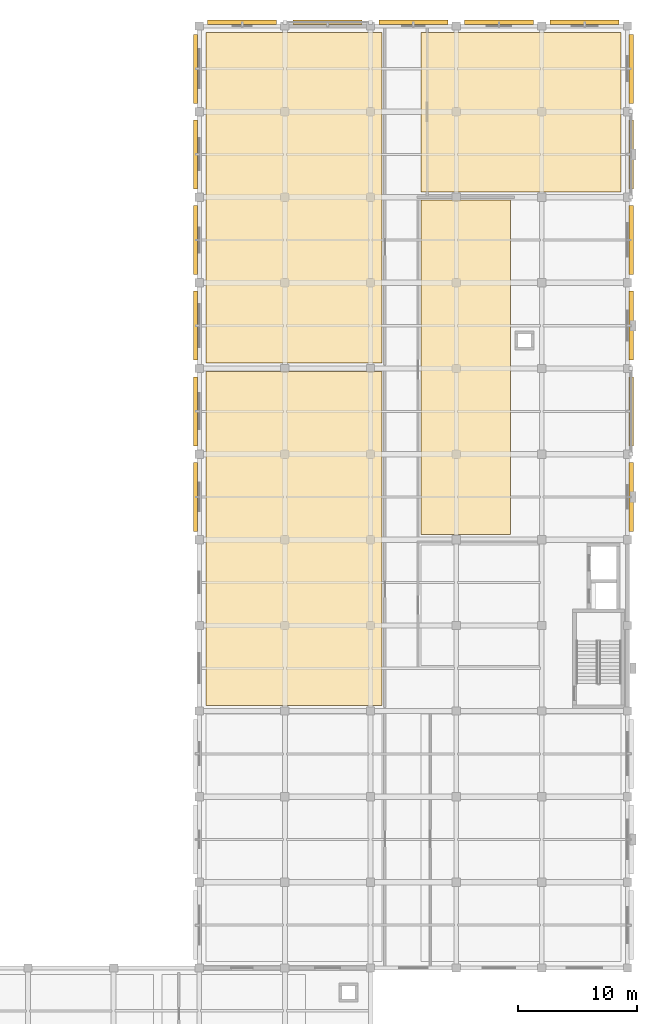
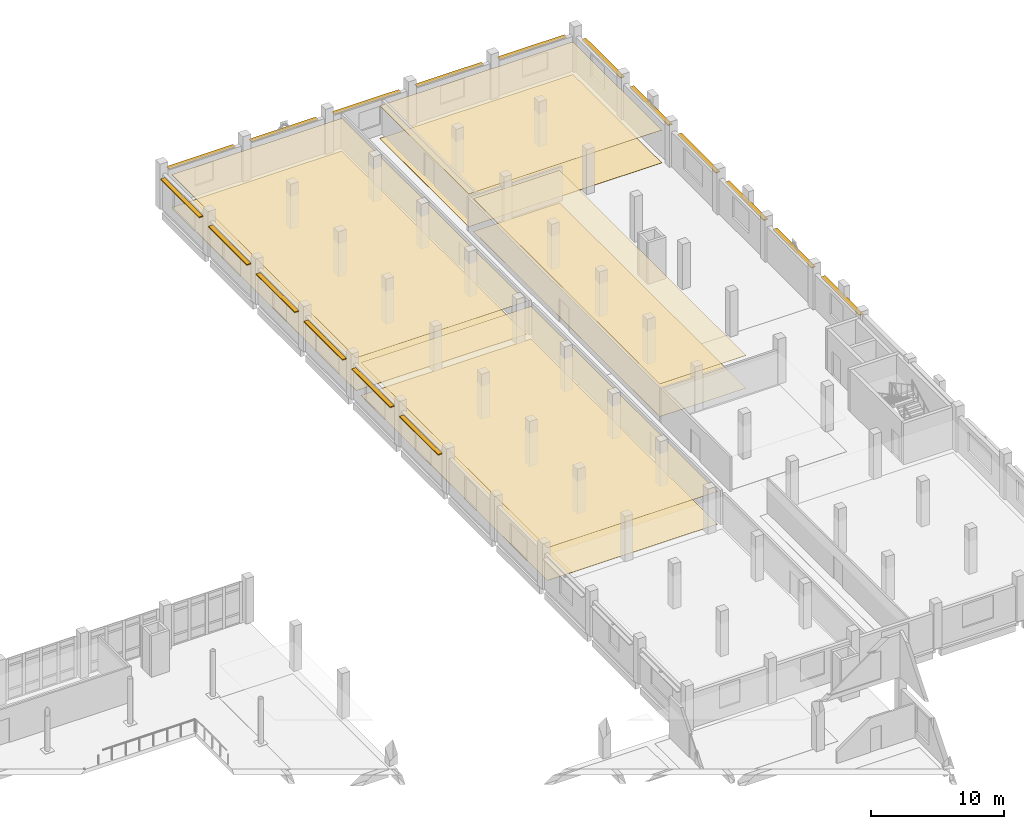
# One storey, part 62 of 62: 17 shading devices, 8 coverings.
"""IFC4 building model written with IfcOpenShell, lengths in metres."""

import ifcopenshell
import ifcopenshell.guid

model = None  # the IFC model being written
_history = None  # IfcOwnerHistory: only IFC2X3 demands one
_inside = {}  # id of a spatial element -> (the spatial element, [elements in it])
_under = {}  # id of a project, library or spatial element -> (it, [spatial elements below it])
_declared = {}  # id of a project -> (the project, [libraries it declares])
_typed = {}  # id of a type object -> (the type object, [elements of that type])
_made_of = {}  # id of a material, layer set ... -> (it, [elements and type objects made of it])


def new_model(schema):
    """Start an empty IFC model of exactly this schema.

    Asked for "IFC4X3", IfcOpenShell would pick the latest addendum, in which some entities
    have other attributes; the version numbers below select the first issue.
    IFC2X3 requires an IfcOwnerHistory on every rooted entity: one is made here for all.
    """
    global model, _history
    if schema == "IFC4X3":
        model = ifcopenshell.file(schema_version=(4, 3, 0, 0))
    else:
        model = ifcopenshell.file(schema=schema)
    _inside.clear()
    _under.clear()
    _declared.clear()
    _typed.clear()
    _made_of.clear()
    _history = None
    if model.schema == "IFC2X3":
        org = make("IfcOrganization", Name="unknown")
        user = make(
            "IfcPersonAndOrganization",
            ThePerson=make("IfcPerson", FamilyName="unknown"),
            TheOrganization=org,
        )
        app = make(
            "IfcApplication",
            ApplicationDeveloper=org,
            Version="unknown",
            ApplicationFullName="unknown",
            ApplicationIdentifier="unknown",
        )
        _history = make(
            "IfcOwnerHistory",
            OwningUser=user,
            OwningApplication=app,
            ChangeAction="ADDED",
            CreationDate=0,
        )
    return model


def make(cls, **values):
    """One entity of the class cls with the attributes given. An attribute that is None is left unset."""
    return model.create_entity(
        cls, **{name: value for name, value in values.items() if value is not None}
    )


def rooted(cls, **values):
    """An entity with a GlobalId (a new one), such as an element, a storey or a relation."""
    return make(cls, GlobalId=ifcopenshell.guid.new(), OwnerHistory=_history, **values)


def si_unit(unit_type, name, prefix=None):
    """IfcSIUnit, for example si_unit("LENGTHUNIT", "METRE", prefix="MILLI")."""
    return make("IfcSIUnit", UnitType=unit_type, Prefix=prefix, Name=name)


def assignment(units):
    """IfcUnitAssignment: the units of a project."""
    return None if units is None else make("IfcUnitAssignment", Units=units)


def point(xyz):
    """IfcCartesianPoint."""
    return None if xyz is None else make("IfcCartesianPoint", Coordinates=xyz)


def direction(xyz):
    """IfcDirection."""
    return None if xyz is None else make("IfcDirection", DirectionRatios=xyz)


def frame(location, z_axis=None, x_axis=None):
    """IfcAxis2Placement3D, a coordinate frame: its origin and axes. An axis left out is left unset."""
    return make(
        "IfcAxis2Placement3D",
        Location=point(location),
        Axis=direction(z_axis),
        RefDirection=direction(x_axis),
    )


def frame_2d(location, x_axis=None):
    """IfcAxis2Placement2D, a coordinate frame in the plane: its origin and x axis."""
    return make(
        "IfcAxis2Placement2D", Location=point(location), RefDirection=direction(x_axis)
    )


def origin():
    """The frame at (0, 0, 0) with its axes left unset."""
    return frame((0.0, 0.0, 0.0))


def origin_2d():
    """The frame at (0, 0) in the plane with its x axis left unset."""
    return frame_2d((0.0, 0.0))


def place(relative_to, where):
    """IfcLocalPlacement: puts the frame where relative to a parent placement (None: the world)."""
    return make(
        "IfcLocalPlacement", PlacementRelTo=relative_to, RelativePlacement=where
    )


def context(
    kind, dimensions, precision=None, world=None, true_north=None, identifier=None
):
    """IfcGeometricRepresentationContext, for example the 3D "Model" context."""
    return make(
        "IfcGeometricRepresentationContext",
        ContextIdentifier=identifier,
        ContextType=kind,
        CoordinateSpaceDimension=dimensions,
        Precision=precision,
        WorldCoordinateSystem=world,
        TrueNorth=true_north,
    )


def subcontext(parent, identifier, kind, view, scale=None):
    """IfcGeometricRepresentationSubContext, for example "Body" below "Model"."""
    return make(
        "IfcGeometricRepresentationSubContext",
        ContextIdentifier=identifier,
        ContextType=kind,
        ParentContext=parent,
        TargetScale=scale,
        TargetView=view,
    )


def project(units=None, contexts=None):
    """IfcProject with its units and contexts."""
    return rooted(
        "IfcProject",
        Name="project",
        RepresentationContexts=contexts,
        UnitsInContext=assignment(units),
    )


def spatial(cls, under=None, at=None, **own):
    """A site, building, storey or space (cls), placed at a placement, below another one or the project."""
    s = rooted(cls, ObjectPlacement=at, **own)
    if under is not None:
        _under.setdefault(under.id(), (under, []))[1].append(s)
    return s


def polyline(points):
    """IfcPolyline through the points."""
    return make("IfcPolyline", Points=[point(p) for p in points])


def profile(cls, at=None, kind="AREA", **sizes):
    """A parametric profile (cls). Its sizes go by their IFC names, for example OverallWidth=200.0."""
    return make(cls, ProfileType=kind, Position=at, **sizes)


def rectangle(**sizes):
    """IfcRectangleProfileDef."""
    return profile("IfcRectangleProfileDef", **sizes)


def outline(outer, holes=None, kind="AREA"):
    """IfcArbitraryClosedProfileDef: a profile drawn as a closed curve; with holes, ...WithVoids."""
    if holes is None:
        return make("IfcArbitraryClosedProfileDef", ProfileType=kind, OuterCurve=outer)
    return make(
        "IfcArbitraryProfileDefWithVoids",
        ProfileType=kind,
        OuterCurve=outer,
        InnerCurves=holes,
    )


def extrude(swept, where, along, depth):
    """IfcExtrudedAreaSolid: the profile swept, set in the frame where, extruded along a direction by depth."""
    return make(
        "IfcExtrudedAreaSolid",
        SweptArea=swept,
        Position=where,
        ExtrudedDirection=direction(along),
        Depth=depth,
    )


def shape(context_of_items, identifier, shape_type, items):
    """IfcShapeRepresentation: the items that make up one representation, for example the "Body"."""
    return make(
        "IfcShapeRepresentation",
        ContextOfItems=context_of_items,
        RepresentationIdentifier=identifier,
        RepresentationType=shape_type,
        Items=items,
    )


def material(Name=None, Category=None):
    """IfcMaterial."""
    return make("IfcMaterial", Name=Name, Category=Category)


def layer(
    of_material, thickness, ventilated=None, Name=None, Category=None, Priority=None
):
    """IfcMaterialLayer: one layer of a wall or slab, of a material (None: an air gap)."""
    return make(
        "IfcMaterialLayer",
        Material=of_material,
        LayerThickness=thickness,
        IsVentilated=ventilated,
        Name=Name,
        Category=Category,
        Priority=Priority,
    )


def layer_set(layers, Name=None):
    """IfcMaterialLayerSet."""
    return make("IfcMaterialLayerSet", MaterialLayers=layers, LayerSetName=Name)


def made_of(thing, what):
    """Note that an element or type object is made of a material, layer set ...; save() writes the relation."""
    if what is not None:
        _made_of.setdefault(what.id(), (what, []))[1].append(thing)
    return thing


def type_object(cls, material=None, **own):
    """A type object (cls), such as IfcWallType, which elements share."""
    return made_of(rooted(cls, **own), material)


def element(
    cls,
    number,
    at=None,
    inside=None,
    cuts=None,
    type_object=None,
    material=None,
    context=None,
    identifier="Body",
    shape_type=None,
    held_by="IfcProductDefinitionShape",
    body=None,
    shapes=None,
    **own,
):
    """One element of the class cls, such as IfcWall. Its Tag is "e" and its number.

    at: its placement. inside: the storey or other place that contains it. cuts: it is an
    opening in that element (IfcRelVoidsElement). A single representation is given by context,
    identifier, shape_type and body (its items); several are given by shapes. held_by: the class
    of the entity that holds the representations. save() writes the other relations.
    """
    e = rooted(cls, Tag="e%d" % number, ObjectPlacement=at, **own)
    if body is not None:
        shapes = [shape(context, identifier, shape_type, body)]
    if shapes is not None:
        e.Representation = make(held_by, Representations=shapes)
    if inside is not None:
        _inside.setdefault(inside.id(), (inside, []))[1].append(e)
    if cuts is not None:
        rooted(
            "IfcRelVoidsElement", RelatingBuildingElement=cuts, RelatedOpeningElement=e
        )
    if type_object is not None:
        _typed.setdefault(type_object.id(), (type_object, []))[1].append(e)
    return made_of(e, material)


def aggregate(whole, parts):
    """IfcRelAggregates: a whole, such as a stair, and the parts it consists of."""
    return rooted("IfcRelAggregates", RelatingObject=whole, RelatedObjects=parts)


def save(model, path):
    """Write the relations noted so far, then the file.

    IfcRelAggregates (storeys below a building ...), IfcRelContainedInSpatialStructure (elements
    in a storey), IfcRelDefinesByType, IfcRelAssociatesMaterial and IfcRelDeclares: one each for
    every whole, place, type object, material and project.
    """
    for whole, parts in _under.values():
        aggregate(whole, parts)
    for where, things in _inside.values():
        rooted(
            "IfcRelContainedInSpatialStructure",
            RelatedElements=things,
            RelatingStructure=where,
        )
    for kind, things in _typed.values():
        rooted("IfcRelDefinesByType", RelatedObjects=things, RelatingType=kind)
    for what, things in _made_of.values():
        rooted("IfcRelAssociatesMaterial", RelatedObjects=things, RelatingMaterial=what)
    for by, libraries in _declared.values():
        rooted("IfcRelDeclares", RelatingContext=by, RelatedDefinitions=libraries)
    model.write(path)


model = new_model("IFC4")

# Units and contexts
model_context = context("Model", 3, precision=1e-05, world=origin(), true_north=direction((0.0, 1.0)))
body_context = subcontext(model_context, "Body", "Model", "MODEL_VIEW")
ifc_project = project(units=[si_unit("LENGTHUNIT", "METRE"), si_unit("AREAUNIT", "SQUARE_METRE"), si_unit("VOLUMEUNIT", "CUBIC_METRE"), si_unit("PLANEANGLEUNIT", "RADIAN"), si_unit("MASSUNIT", "GRAM", prefix="KILO")], contexts=[model_context])

# Site, building, storey
site_placement = place(None, origin())
site = spatial("IfcSite", under=ifc_project, at=site_placement, CompositionType="ELEMENT")
building_placement = place(site_placement, origin())
building = spatial("IfcBuilding", under=site, at=building_placement, Name="Valkovuoma Quantum and Materials Research Institute", CompositionType="ELEMENT")
storey_placement = place(building_placement, frame((0.0, 0.0, 8.9599609375)))
storey = spatial("IfcBuildingStorey", under=building, at=storey_placement, Name="L02", CompositionType="ELEMENT", Elevation=8.9599609375)

# Coverings
ifc_material_1 = material(Name="Cleanable acoustic mineral-fibre suspended ceiling", Category="masonry")
ifc_layer_1 = layer(ifc_material_1, 0.02490234375)
ifc_layer_set_1 = layer_set([ifc_layer_1], Name="Cleanable acoustic mineral-fibre suspended ceiling")
covering_type_1 = type_object("IfcCoveringType", Name="Cov-CEIL-01", PredefinedType="CEILING", material=ifc_layer_set_1)
covering_1_placement = place(storey_placement, frame((0.0, 0.0, 3.0)))
element("IfcCovering", 1, at=covering_1_placement, inside=storey, type_object=covering_type_1, Name="L02 acoustic ceiling 0075", PredefinedType="CEILING", context=body_context, shape_type="SweptSolid", body=[
    extrude(outline(polyline([(130.14990234375, 58.050048828125), (144.949951171875, 58.050048828125), (144.949951171875, 86.14990234375), (130.14990234375, 86.14990234375), (130.14990234375, 58.050048828125)])), origin(), (0.0, 0.0, 1.0), 0.025146484375),
])
covering_2_placement = place(storey_placement, frame((0.0, 0.0, 3.0)))
element("IfcCovering", 2, at=covering_2_placement, inside=storey, type_object=covering_type_1, Name="L02 acoustic ceiling 0076", PredefinedType="CEILING", context=body_context, shape_type="SweptSolid", body=[
    extrude(outline(polyline([(130.14990234375, 86.85009765625), (144.949951171875, 86.85009765625), (144.949951171875, 114.64990234375), (130.14990234375, 114.64990234375), (130.14990234375, 86.85009765625)])), origin(), (0.0, 0.0, 1.0), 0.025146484375),
])
covering_3_placement = place(storey_placement, frame((0.0, 0.0, 3.0)))
element("IfcCovering", 3, at=covering_3_placement, inside=storey, type_object=covering_type_1, Name="L02 acoustic ceiling 0079", PredefinedType="CEILING", context=body_context, shape_type="SweptSolid", body=[
    extrude(outline(polyline([(148.25, 72.449951171875), (155.75, 72.449951171875), (155.75, 100.550048828125), (148.25, 100.550048828125), (148.25, 72.449951171875)])), origin(), (0.0, 0.0, 1.0), 0.025146484375),
])
covering_4_placement = place(storey_placement, frame((0.0, 0.0, 3.0)))
element("IfcCovering", 4, at=covering_4_placement, inside=storey, type_object=covering_type_1, Name="L02 acoustic ceiling 0080", PredefinedType="CEILING", context=body_context, shape_type="SweptSolid", body=[
    extrude(outline(polyline([(148.25, 101.25), (165.050048828125, 101.25), (165.050048828125, 114.64990234375), (148.25, 114.64990234375), (148.25, 101.25)])), origin(), (0.0, 0.0, 1.0), 0.025146484375),
])
ifc_material_2 = material(Name="Seamless dissipative laboratory resin flooring", Category="masonry")
ifc_layer_2 = layer(ifc_material_2, 0.014892578125)
ifc_layer_set_2 = layer_set([ifc_layer_2], Name="Seamless dissipative laboratory resin flooring")
covering_type_2 = type_object("IfcCoveringType", Name="Cov-FLOR-01", PredefinedType="FLOORING", material=ifc_layer_set_2)
covering_5_placement = place(storey_placement, origin())
element("IfcCovering", 5, at=covering_5_placement, inside=storey, type_object=covering_type_2, Name="L02 resin flooring 0075", PredefinedType="FLOORING", context=body_context, shape_type="SweptSolid", body=[
    extrude(outline(polyline([(130.14990234375, 58.050048828125), (144.949951171875, 58.050048828125), (144.949951171875, 86.14990234375), (130.14990234375, 86.14990234375), (130.14990234375, 58.050048828125)])), origin(), (0.0, 0.0, 1.0), 0.01513671875),
])
covering_6_placement = place(storey_placement, origin())
element("IfcCovering", 6, at=covering_6_placement, inside=storey, type_object=covering_type_2, Name="L02 resin flooring 0076", PredefinedType="FLOORING", context=body_context, shape_type="SweptSolid", body=[
    extrude(outline(polyline([(130.14990234375, 86.85009765625), (144.949951171875, 86.85009765625), (144.949951171875, 114.64990234375), (130.14990234375, 114.64990234375), (130.14990234375, 86.85009765625)])), origin(), (0.0, 0.0, 1.0), 0.01513671875),
])
covering_7_placement = place(storey_placement, origin())
element("IfcCovering", 7, at=covering_7_placement, inside=storey, type_object=covering_type_2, Name="L02 resin flooring 0079", PredefinedType="FLOORING", context=body_context, shape_type="SweptSolid", body=[
    extrude(outline(polyline([(148.25, 72.449951171875), (155.75, 72.449951171875), (155.75, 100.550048828125), (148.25, 100.550048828125), (148.25, 72.449951171875)])), origin(), (0.0, 0.0, 1.0), 0.01513671875),
])
covering_8_placement = place(storey_placement, origin())
element("IfcCovering", 8, at=covering_8_placement, inside=storey, type_object=covering_type_2, Name="L02 resin flooring 0080", PredefinedType="FLOORING", context=body_context, shape_type="SweptSolid", body=[
    extrude(outline(polyline([(148.25, 101.25), (165.050048828125, 101.25), (165.050048828125, 114.64990234375), (148.25, 114.64990234375), (148.25, 101.25)])), origin(), (0.0, 0.0, 1.0), 0.01513671875),
])

# Shading devices
ifc_material_3 = material(Name="Powder-coated white perforated architectural aluminium panel", Category="aluminium")
ifc_layer_3 = layer(ifc_material_3, 0.050048828125)
ifc_layer_set_3 = layer_set([ifc_layer_3], Name="Powder-coated white perforated architectural aluminium panel")
shading_device_type_1 = type_object("IfcShadingDeviceType", Name="Screen-SCR-DENSE", PredefinedType="JALOUSIE", material=ifc_layer_set_3)
for number, where, z_axis, x_axis, name in (
    (9, (165.919921875, 75.60009765625, 3.010009765625), (0.0, 0.0, 1.0), (1.0, 0.0, 0.0), "L02 wet-lab solar sunshade E-0030"),
    (10, (129.280029296875, 75.60009765625, 3.010009765625), (0.0, 0.0, 1.0), (1.0, 0.0, 0.0), "L02 wet-lab solar sunshade W-0031"),
    (11, (165.919921875, 97.199951171875, 3.010009765625), (0.0, 0.0, 1.0), (1.0, 0.0, 0.0), "L02 wet-lab solar sunshade E-0036"),
    (12, (129.280029296875, 97.199951171875, 3.010009765625), (0.0, 0.0, 1.0), (1.0, 0.0, 0.0), "L02 wet-lab solar sunshade W-0037"),
):
    element("IfcShadingDevice", number, at=place(storey_placement, frame(where, z_axis=z_axis, x_axis=x_axis)), inside=storey, type_object=shading_device_type_1, Name=name, PredefinedType="JALOUSIE", context=body_context, shape_type="SweptSolid", body=[
        extrude(rectangle(XDim=0.360107421875, YDim=5.800048828125, at=origin_2d()), origin(), (0.0, 0.0, 1.0), 0.080078125),
    ])
for number, where, z_axis, x_axis, name in (
    (13, (140.39990234375, 115.52001953125, 3.010009765625), (0.0, 0.0, 1.0), (1.0, 0.0, 0.0), "L02 wet-lab north sunshade 0043"),
    (14, (162.0, 115.52001953125, 3.010009765625), (0.0, 0.0, 1.0), (1.0, 0.0, 0.0), "L02 wet-lab north sunshade 0046"),
):
    element("IfcShadingDevice", number, at=place(storey_placement, frame(where, z_axis=z_axis, x_axis=x_axis)), inside=storey, type_object=shading_device_type_1, Name=name, PredefinedType="JALOUSIE", context=body_context, shape_type="SweptSolid", body=[
        extrude(rectangle(XDim=5.800048828125, YDim=0.360107421875, at=origin_2d()), origin(), (0.0, 0.0, 1.0), 0.080078125),
    ])
ifc_material_4 = material(Name="Powder-coated white perforated architectural aluminium panel", Category="aluminium")
ifc_layer_4 = layer(ifc_material_4, 0.050048828125)
ifc_layer_set_4 = layer_set([ifc_layer_4], Name="Powder-coated white perforated architectural aluminium panel")
shading_device_type_2 = type_object("IfcShadingDeviceType", Name="Screen-SCR-MID", PredefinedType="JALOUSIE", material=ifc_layer_set_4)
for number, where, z_axis, x_axis, name in (
    (15, (165.919921875, 82.800048828125, 3.010009765625), (0.0, 0.0, 1.0), (1.0, 0.0, 0.0), "L02 wet-lab solar sunshade E-0032"),
    (16, (129.280029296875, 82.800048828125, 3.010009765625), (0.0, 0.0, 1.0), (1.0, 0.0, 0.0), "L02 wet-lab solar sunshade W-0033"),
    (17, (165.919921875, 104.39990234375, 3.010009765625), (0.0, 0.0, 1.0), (1.0, 0.0, 0.0), "L02 wet-lab solar sunshade E-0038"),
    (18, (129.280029296875, 104.39990234375, 3.010009765625), (0.0, 0.0, 1.0), (1.0, 0.0, 0.0), "L02 wet-lab solar sunshade W-0039"),
):
    element("IfcShadingDevice", number, at=place(storey_placement, frame(where, z_axis=z_axis, x_axis=x_axis)), inside=storey, type_object=shading_device_type_2, Name=name, PredefinedType="JALOUSIE", context=body_context, shape_type="SweptSolid", body=[
        extrude(rectangle(XDim=0.360107421875, YDim=5.800048828125, at=origin_2d()), origin(), (0.0, 0.0, 1.0), 0.080078125),
    ])
shading_device_placement = place(storey_placement, frame((147.60009765625, 115.52001953125, 3.010009765625), z_axis=(0.0, 0.0, 1.0), x_axis=(1.0, 0.0, 0.0)))
element("IfcShadingDevice", 19, at=shading_device_placement, inside=storey, type_object=shading_device_type_2, Name="L02 wet-lab north sunshade 0044", PredefinedType="JALOUSIE", context=body_context, shape_type="SweptSolid", body=[
    extrude(rectangle(XDim=5.800048828125, YDim=0.360107421875, at=origin_2d()), origin(), (0.0, 0.0, 1.0), 0.080078125),
])
ifc_material_5 = material(Name="Powder-coated white perforated architectural aluminium panel", Category="aluminium")
ifc_layer_5 = layer(ifc_material_5, 0.050048828125)
ifc_layer_set_5 = layer_set([ifc_layer_5], Name="Powder-coated white perforated architectural aluminium panel")
shading_device_type_3 = type_object("IfcShadingDeviceType", Name="Screen-SCR-SPARSE", PredefinedType="JALOUSIE", material=ifc_layer_set_5)
for number, where, z_axis, x_axis, name in (
    (20, (165.919921875, 90.0, 3.010009765625), (0.0, 0.0, 1.0), (1.0, 0.0, 0.0), "L02 wet-lab solar sunshade E-0034"),
    (21, (129.280029296875, 90.0, 3.010009765625), (0.0, 0.0, 1.0), (1.0, 0.0, 0.0), "L02 wet-lab solar sunshade W-0035"),
    (22, (165.919921875, 111.60009765625, 3.010009765625), (0.0, 0.0, 1.0), (1.0, 0.0, 0.0), "L02 wet-lab solar sunshade E-0040"),
    (23, (129.280029296875, 111.60009765625, 3.010009765625), (0.0, 0.0, 1.0), (1.0, 0.0, 0.0), "L02 wet-lab solar sunshade W-0041"),
):
    element("IfcShadingDevice", number, at=place(storey_placement, frame(where, z_axis=z_axis, x_axis=x_axis)), inside=storey, type_object=shading_device_type_3, Name=name, PredefinedType="JALOUSIE", context=body_context, shape_type="SweptSolid", body=[
        extrude(rectangle(XDim=0.360107421875, YDim=5.800048828125, at=origin_2d()), origin(), (0.0, 0.0, 1.0), 0.080078125),
    ])
for number, where, z_axis, x_axis, name in (
    (24, (133.199951171875, 115.52001953125, 3.010009765625), (0.0, 0.0, 1.0), (1.0, 0.0, 0.0), "L02 wet-lab north sunshade 0042"),
    (25, (154.800048828125, 115.52001953125, 3.010009765625), (0.0, 0.0, 1.0), (1.0, 0.0, 0.0), "L02 wet-lab north sunshade 0045"),
):
    element("IfcShadingDevice", number, at=place(storey_placement, frame(where, z_axis=z_axis, x_axis=x_axis)), inside=storey, type_object=shading_device_type_3, Name=name, PredefinedType="JALOUSIE", context=body_context, shape_type="SweptSolid", body=[
        extrude(rectangle(XDim=5.800048828125, YDim=0.360107421875, at=origin_2d()), origin(), (0.0, 0.0, 1.0), 0.080078125),
    ])

save(model, "model.ifc")
